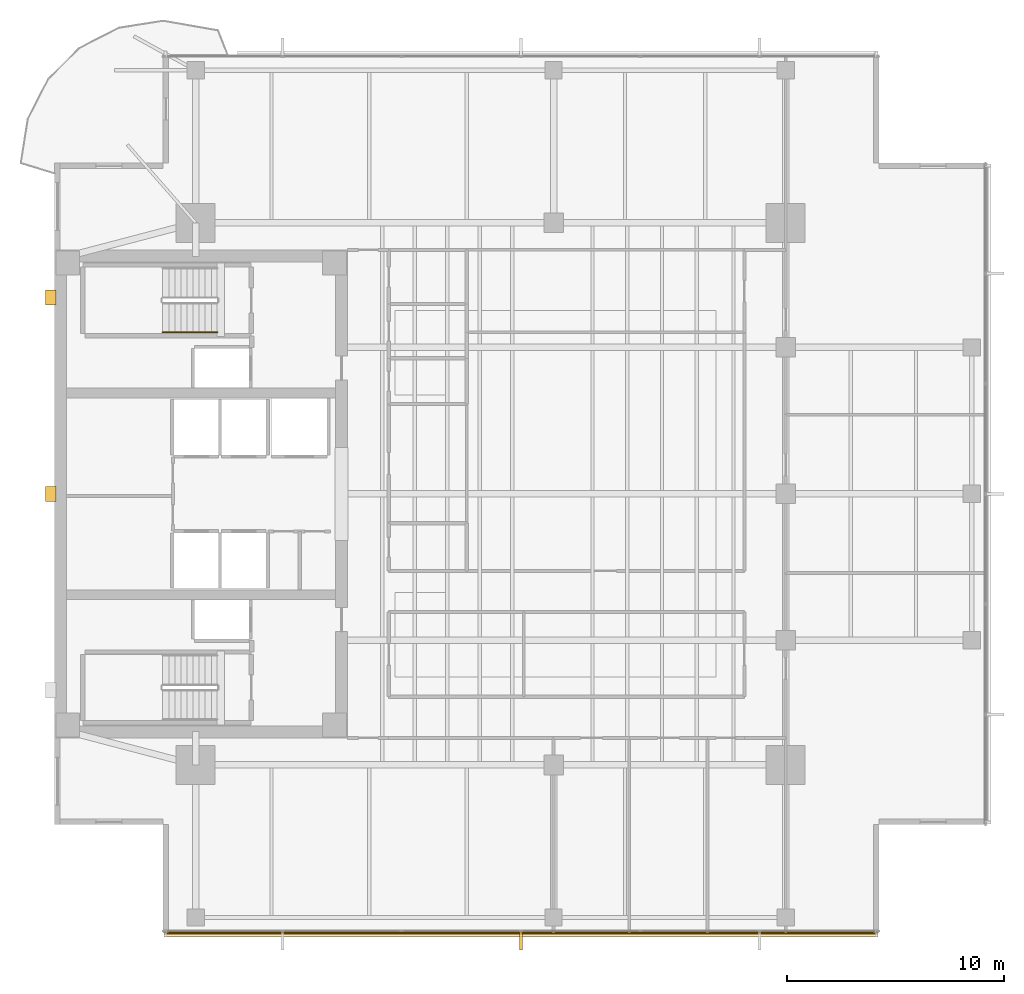
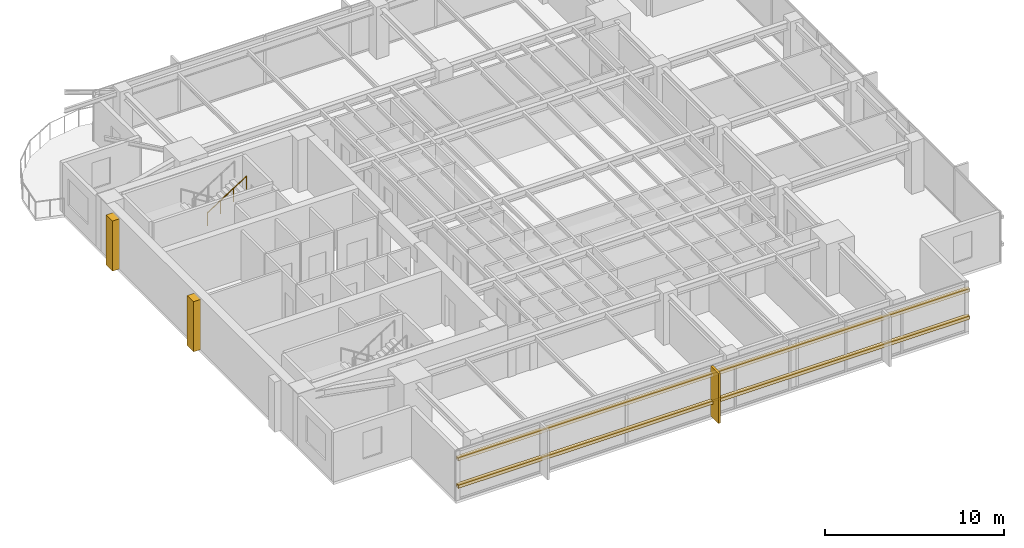
# One storey, part 12 of 14: 5 coverings, 2 shading devices, 1 railing.
"""IFC4 building model written with IfcOpenShell, lengths in metres."""

from ifc_helpers import new_model, si_unit, direction, frame, origin, origin_2d, place, context, subcontext, project, spatial, polyline, rectangle, circle, outline, extrude, material, layer, layer_set, material_profile, profile_set, type_object, element, save


model = new_model("IFC4")

# Units and contexts
model_context = context("Model", 3, precision=1e-05, world=origin(), true_north=direction((0.0, 1.0)))
body_context = subcontext(model_context, "Body", "Model", "MODEL_VIEW")
ifc_project = project(units=[si_unit("LENGTHUNIT", "METRE"), si_unit("AREAUNIT", "SQUARE_METRE"), si_unit("VOLUMEUNIT", "CUBIC_METRE"), si_unit("PLANEANGLEUNIT", "RADIAN"), si_unit("MASSUNIT", "GRAM", prefix="KILO")], contexts=[model_context])

# Site, building, storey
site_placement = place(None, origin())
site = spatial("IfcSite", under=ifc_project, at=site_placement, CompositionType="ELEMENT")
building_placement = place(site_placement, origin())
building = spatial("IfcBuilding", under=site, at=building_placement, Name="Kinhvarn Gate Tower", CompositionType="ELEMENT")
storey_placement = place(building_placement, frame((0.0, 0.0, 223.550048828125)))
storey = spatial("IfcBuildingStorey", under=building, at=storey_placement, Name="L59", CompositionType="ELEMENT", Elevation=223.550048828125)

# Coverings
ifc_material_1 = material(Name="Fired architectural terracotta", Category="masonry")
ifc_layer_1 = layer(ifc_material_1, 0.239990234375)
ifc_layer_set_1 = layer_set([ifc_layer_1], Name="Fired architectural terracotta")
covering_type_1 = type_object("IfcCoveringType", Name="COV-BAG-220", PredefinedType="CLADDING", material=ifc_layer_set_1)
for number, where, name in (
    (1, (0.0, 0.0, 0.93994140625), "Terracotta Horizontal Sunscreen Band TBG-220 (L59)"),
    (2, (0.0, 0.0, 2.81005859375), "Terracotta Horizontal Sunscreen Band TBG-220 (L59)"),
):
    element("IfcCovering", number, at=place(storey_placement, frame(where)), inside=storey, type_object=covering_type_1, Name=name, PredefinedType="CLADDING", context=body_context, shape_type="SweptSolid", body=[
        extrude(outline(polyline([(9.5400390625, 5.070068359375), (42.4599609375, 5.070068359375), (42.4599609375, 4.830078125), (9.5400390625, 4.830078125), (9.5400390625, 5.070068359375)])), origin(), (0.0, 0.0, 1.0), 0.219970703125),
    ])
ifc_layer_2 = layer(ifc_material_1, 0.139892578125)
ifc_layer_set_2 = layer_set([ifc_layer_2], Name="Fired architectural terracotta")
covering_type_2 = type_object("IfcCoveringType", Name="COV-FIN-850", PredefinedType="CLADDING", material=ifc_layer_set_2)
covering_1_placement = place(storey_placement, frame((0.0, 0.0, -0.02001953125)))
element("IfcCovering", 3, at=covering_1_placement, inside=storey, type_object=covering_type_2, Name="Vertical Terracotta Expressive Fin TFN-850 (L59)", PredefinedType="CLADDING", context=body_context, shape_type="SweptSolid", body=[
    extrude(outline(polyline([(25.929931640625, 5.080078125), (26.070068359375, 5.080078125), (26.070068359375, 4.22998046875), (25.929931640625, 4.22998046875), (25.929931640625, 5.080078125)])), origin(), (0.0, 0.0, 1.0), 3.409912109375),
])
ifc_material_2 = material(Name="Precast white architectural concrete C40/50", Category="concrete")
ifc_layer_3 = layer(ifc_material_2, 0.47998046875)
ifc_layer_set_3 = layer_set([ifc_layer_3], Name="Precast white architectural concrete C40/50")
covering_type_3 = type_object("IfcCoveringType", Name="COV-RIB-450", PredefinedType="CLADDING", material=ifc_layer_set_3)
covering_2_placement = place(storey_placement, frame((0.0, 0.0, -0.02001953125)))
element("IfcCovering", 4, at=covering_2_placement, inside=storey, type_object=covering_type_3, Name="West Core Sculptural Concrete Relief Rib CRB-450 (L59)", PredefinedType="CLADDING", context=body_context, shape_type="SweptSolid", body=[
    extrude(outline(polyline([(4.080078125, 24.89990234375), (4.56005859375, 24.89990234375), (4.56005859375, 25.60009765625), (4.080078125, 25.60009765625), (4.080078125, 24.89990234375)])), origin(), (0.0, 0.0, 1.0), 3.409912109375),
])
covering_3_placement = place(storey_placement, frame((0.0, 0.0, -0.02001953125)))
element("IfcCovering", 5, at=covering_3_placement, inside=storey, type_object=covering_type_3, Name="West Core Sculptural Concrete Relief Rib CRB-450 (L59)", PredefinedType="CLADDING", context=body_context, shape_type="SweptSolid", body=[
    extrude(outline(polyline([(4.080078125, 33.949951171875), (4.56005859375, 33.949951171875), (4.56005859375, 34.64990234375), (4.080078125, 34.64990234375), (4.080078125, 33.949951171875)])), origin(), (0.0, 0.0, 1.0), 3.409912109375),
])

# Railing
ifc_material_3 = material(Name="Steel S355", Category="steel")
railing_type = type_object("IfcRailingType", Name="RL-ST-HND", PredefinedType="HANDRAIL", material=ifc_material_3)
railing_placement = place(storey_placement, frame((9.47998046875, 32.699951171875, 1.952392578125)))
element("IfcRailing", 6, at=railing_placement, inside=storey, type_object=railing_type, Name="L59 ST2 stair handrail 2", PredefinedType="HANDRAIL", context=body_context, shape_type="SweptSolid", body=[
    extrude(circle(Radius=0.02392578125, at=origin_2d()), frame((0.0, 0.0, 0.8759765625), z_axis=(0.84456994832, 0.0, 0.535445237532), x_axis=(0.0, 1.0, 0.0)), (0.0, 0.0, 1.0), 2.98388671875),
    extrude(circle(Radius=0.02099609375, at=origin_2d()), origin(), (0.0, 0.0, 1.0), 0.851806640625),
    extrude(circle(Radius=0.02099609375, at=origin_2d()), frame((0.840087890625, 0.0, 0.532470703125)), (0.0, 0.0, 1.0), 0.851806640625),
    extrude(circle(Radius=0.02099609375, at=origin_2d()), frame((1.679931640625, 0.0, 1.065185546875)), (0.0, 0.0, 1.0), 0.851806640625),
    extrude(circle(Radius=0.02099609375, at=origin_2d()), frame((2.52001953125, 0.0, 1.59765625)), (0.0, 0.0, 1.0), 0.851806640625),
])

# Shading devices
ifc_material_profile = material_profile(ifc_material_1, rectangle(XDim=0.050048828125, YDim=0.1201171875, at=origin_2d()), Name="TC 50x120")
ifc_profile_set = profile_set([ifc_material_profile], Name="Fired architectural terracotta")
shading_device_type = type_object("IfcShadingDeviceType", Name="SHD-BAG-140", PredefinedType="USERDEFINED", material=ifc_profile_set)
for number, where, z_axis, x_axis, name in (
    (7, (9.5400390625, 5.0, 1.050048828125), (1.0, 0.0, 0.0), (0.0, 1.0, 0.0), "Upper Tower Terracotta Baguette Screen Rod 50x120 mm (L59)"),
    (8, (9.5400390625, 5.0, 2.919921875), (1.0, 0.0, 0.0), (0.0, 1.0, 0.0), "Upper Tower Terracotta Baguette Screen Rod 50x120 mm (L59)"),
):
    element("IfcShadingDevice", number, at=place(storey_placement, frame(where, z_axis=z_axis, x_axis=x_axis)), inside=storey, type_object=shading_device_type, Name=name, ObjectType="BAGUETTE", PredefinedType="USERDEFINED", context=body_context, shape_type="SweptSolid", body=[
        extrude(rectangle(XDim=0.050048828125, YDim=0.1201171875, at=origin_2d()), origin(), (0.0, 0.0, 1.0), 32.919921875),
    ])

save(model, "model.ifc")
